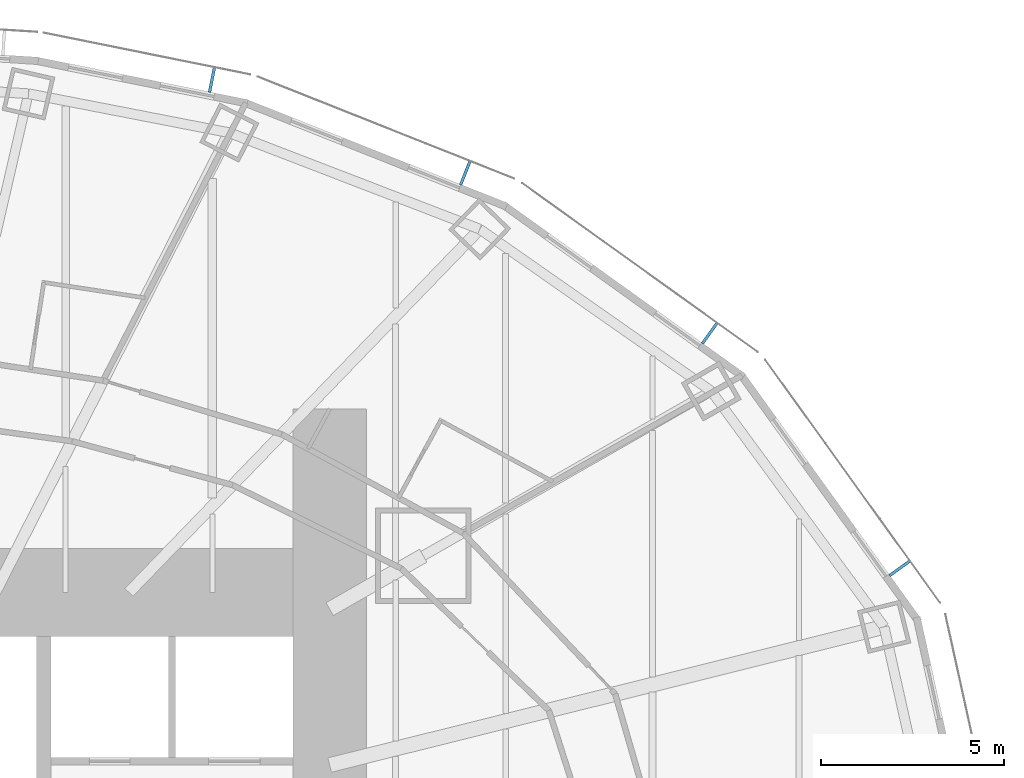
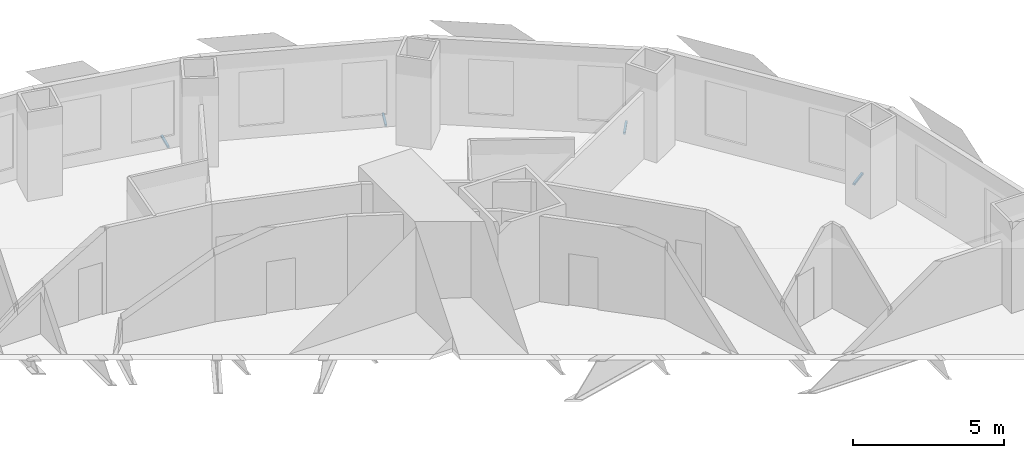
# One storey, part 12 of 15: 4 discrete accessories.
"""IFC4 building model written with IfcOpenShell, lengths in metres."""

from ifc_helpers import new_model, si_unit, direction, frame, origin, origin_2d, place, context, subcontext, project, spatial, rectangle, extrude, element, save


model = new_model("IFC4")

# Units and contexts
model_context = context("Model", 3, precision=1e-05, world=origin(), true_north=direction((0.0, 1.0)))
body_context = subcontext(model_context, "Body", "Model", "MODEL_VIEW")
ifc_project = project(units=[si_unit("LENGTHUNIT", "METRE"), si_unit("AREAUNIT", "SQUARE_METRE"), si_unit("VOLUMEUNIT", "CUBIC_METRE"), si_unit("PLANEANGLEUNIT", "RADIAN"), si_unit("MASSUNIT", "GRAM", prefix="KILO")], contexts=[model_context])

# Site, building, storey
site_placement = place(None, origin())
site = spatial("IfcSite", under=ifc_project, at=site_placement, CompositionType="ELEMENT")
building_placement = place(site_placement, origin())
building = spatial("IfcBuilding", under=site, at=building_placement, Name="Lantaw Convention Tower", CompositionType="ELEMENT")
storey_placement = place(building_placement, frame((0.0, 0.0, 87.39990234375)))
storey = spatial("IfcBuildingStorey", under=building, at=storey_placement, Name="L20", CompositionType="ELEMENT", Elevation=87.39990234375)

# Discrete accessories
for number, where, z_axis, x_axis, name in (
    (1, (28.745849609375, 8.65869140625, -0.114990234375), (0.0, 0.0, 1.0), (-0.583951250436, 0.811788726895, 0.0), "Screen bracket"),
    (2, (23.564453125, 15.06640625, -0.114990234375), (0.0, 0.0, 1.0), (-0.812803733199, 0.5825376308, 0.0), "Screen bracket"),
    (3, (16.898193359375, 19.4345703125, -0.114990234375), (0.0, 0.0, 1.0), (-0.929361152748, 0.369171840425, 0.0), "Screen bracket"),
    (4, (9.990478515625, 21.974365234375, -0.114990234375), (0.0, 0.0, 1.0), (-0.980244604501, 0.197789067813, 0.0), "Screen bracket"),
):
    element("IfcDiscreteAccessory", number, at=place(storey_placement, frame(where, z_axis=z_axis, x_axis=x_axis)), inside=storey, Name=name, PredefinedType="BRACKET", context=body_context, shape_type="SweptSolid", body=[
        extrude(rectangle(XDim=0.080078125, YDim=0.68798828125, at=origin_2d()), origin(), (0.0, 0.0, 1.0), 0.080078125),
    ])

save(model, "model.ifc")
